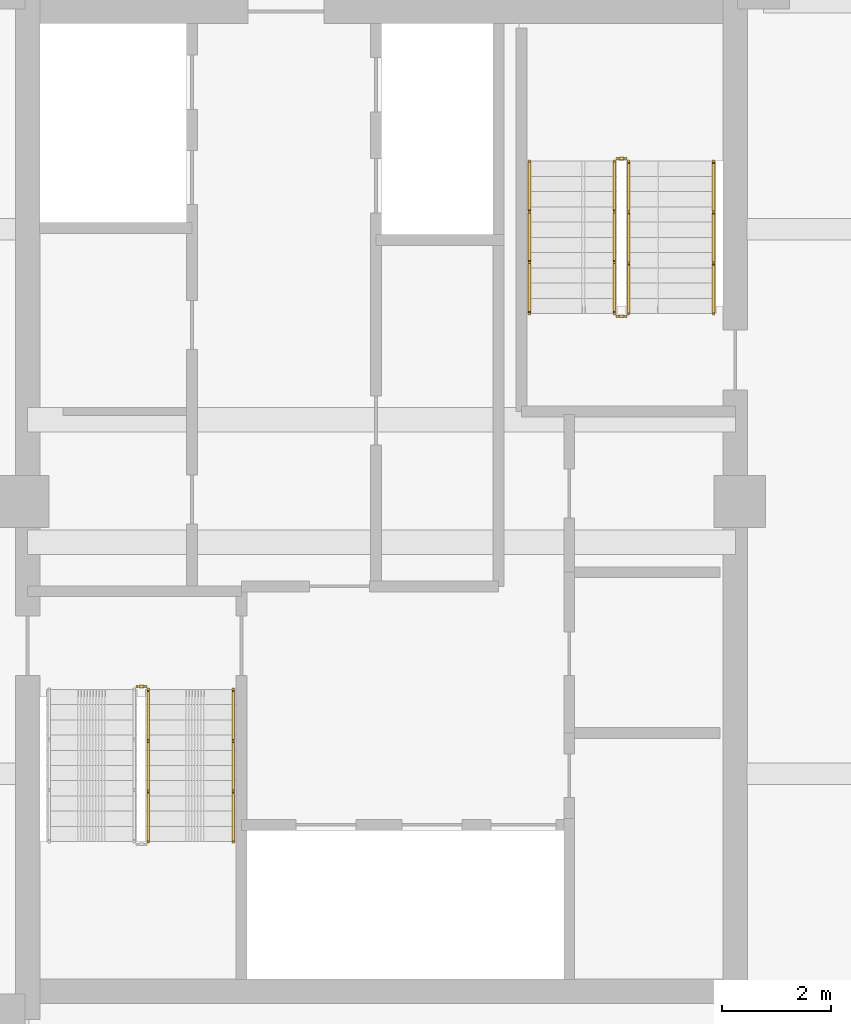
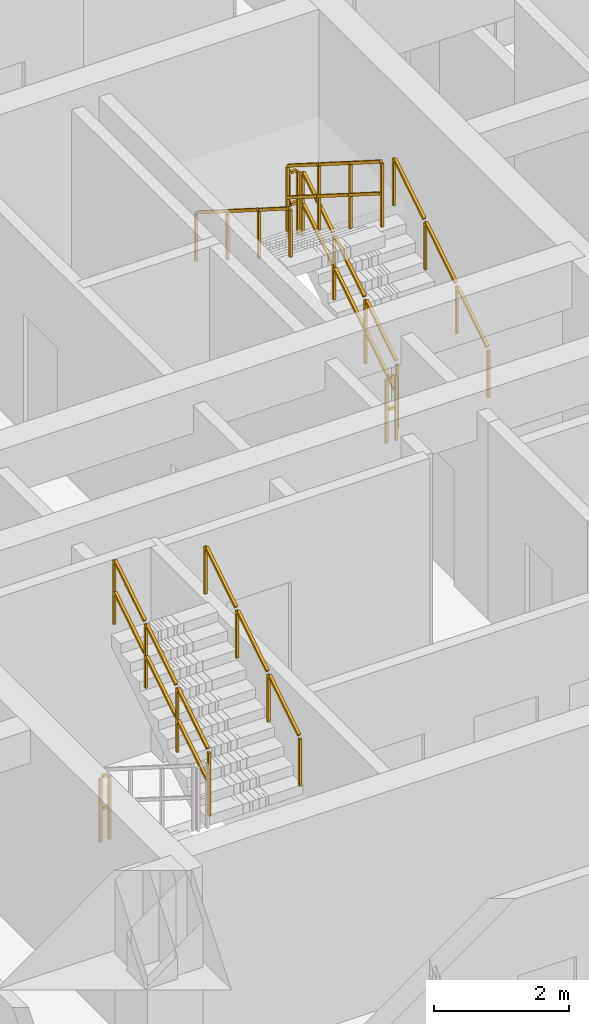
# One storey, part 25 of 27: 9 railings.
"""IFC4 building model written with IfcOpenShell, lengths in metres."""

from ifc_helpers import new_model, si_unit, direction, frame, origin, origin_2d, place, context, subcontext, project, spatial, rectangle, extrude, material, type_object, element, save


model = new_model("IFC4")

# Units and contexts
model_context = context("Model", 3, precision=1e-05, world=origin(), true_north=direction((0.0, 1.0)))
body_context = subcontext(model_context, "Body", "Model", "MODEL_VIEW")
ifc_project = project(units=[si_unit("LENGTHUNIT", "METRE"), si_unit("AREAUNIT", "SQUARE_METRE"), si_unit("VOLUMEUNIT", "CUBIC_METRE"), si_unit("PLANEANGLEUNIT", "RADIAN"), si_unit("MASSUNIT", "GRAM", prefix="KILO")], contexts=[model_context])

# Site, building, storey
site_placement = place(None, origin())
site = spatial("IfcSite", under=ifc_project, at=site_placement, CompositionType="ELEMENT")
building_placement = place(site_placement, origin())
building = spatial("IfcBuilding", under=site, at=building_placement, Name="Saelheon Loggia Tower", CompositionType="ELEMENT")
storey_placement = place(building_placement, frame((0.0, 0.0, 236.10009765625)))
storey = spatial("IfcBuildingStorey", under=building, at=storey_placement, Name="L73", CompositionType="ELEMENT", Elevation=236.10009765625)

# Railings
ifc_material_1 = material(Name="Galvanised Steel S275 Stairwell Guardrail", Category="steel")
railing_type_1 = type_object("IfcRailingType", Name="Guard_StairWell_RL_STG", PredefinedType="GUARDRAIL", material=ifc_material_1)
railing_1_placement = place(storey_placement, frame((33.719970703125, 20.75, 2.127197265625)))
element("IfcRailing", 1, at=railing_1_placement, inside=storey, type_object=railing_type_1, Name="L73 ST1 stair guard 3", PredefinedType="GUARDRAIL", context=body_context, shape_type="SweptSolid", body=[
    extrude(rectangle(XDim=0.048095703125, YDim=0.048095703125, at=origin_2d()), frame((0.0, 0.028076171875, 1.193603515625), z_axis=(0.0, 0.844908973607, 0.534910110503), x_axis=(-1.0, 0.0, 0.0)), (0.0, 0.0, 1.0), 1.0380859375),
    extrude(rectangle(XDim=0.048095703125, YDim=0.048095703125, at=origin_2d()), frame((0.0, 0.028076171875, 0.61767578125), z_axis=(0.0, 0.844908973607, 0.534910110503), x_axis=(-1.0, 0.0, 0.0)), (0.0, 0.0, 1.0), 1.0380859375),
    extrude(rectangle(XDim=0.048095703125, YDim=0.048095703125, at=origin_2d()), frame((0.0, 0.96142578125, 1.78466796875), z_axis=(0.0, 0.844908973607, 0.534910110503), x_axis=(-1.0, 0.0, 0.0)), (0.0, 0.0, 1.0), 1.0380859375),
    extrude(rectangle(XDim=0.048095703125, YDim=0.048095703125, at=origin_2d()), frame((0.0, 0.96142578125, 1.208740234375), z_axis=(0.0, 0.844908973607, 0.534910110503), x_axis=(-1.0, 0.0, 0.0)), (0.0, 0.0, 1.0), 1.0380859375),
    extrude(rectangle(XDim=0.048095703125, YDim=0.048095703125, at=origin_2d()), frame((0.0, 1.894775390625, 2.37548828125), z_axis=(0.0, 0.844908973607, 0.534910110503), x_axis=(-1.0, 0.0, 0.0)), (0.0, 0.0, 1.0), 1.0380859375),
    extrude(rectangle(XDim=0.048095703125, YDim=0.048095703125, at=origin_2d()), frame((0.0, 1.894775390625, 1.799560546875), z_axis=(0.0, 0.844908973607, 0.534910110503), x_axis=(-1.0, 0.0, 0.0)), (0.0, 0.0, 1.0), 1.0380859375),
    extrude(rectangle(XDim=0.0419921875, YDim=0.0419921875, at=origin_2d()), origin(), (0.0, 0.0, 1.0), 1.14794921875),
    extrude(rectangle(XDim=0.0419921875, YDim=0.0419921875, at=origin_2d()), frame((0.0, 0.933349609375, 0.5908203125)), (0.0, 0.0, 1.0), 1.14794921875),
    extrude(rectangle(XDim=0.0419921875, YDim=0.0419921875, at=origin_2d()), frame((0.0, 1.86669921875, 1.181884765625)), (0.0, 0.0, 1.0), 1.14794921875),
    extrude(rectangle(XDim=0.0419921875, YDim=0.0419921875, at=origin_2d()), frame((0.0, 2.800048828125, 1.772705078125)), (0.0, 0.0, 1.0), 1.14794921875),
])
railing_2_placement = place(storey_placement, frame((33.510009765625, 23.60009765625, 0.0)))
element("IfcRailing", 2, at=railing_2_placement, inside=storey, type_object=railing_type_1, Name="L73 ST1 stair guard 4", PredefinedType="GUARDRAIL", context=body_context, shape_type="SweptSolid", body=[
    extrude(rectangle(XDim=0.048095703125, YDim=0.048095703125, at=origin_2d()), frame((0.033203125, 0.0, 1.17578125), z_axis=(1.0, 0.0, 0.0), x_axis=(0.0, 1.0, 0.0)), (0.0, 0.0, 1.0), 0.093505859375),
    extrude(rectangle(XDim=0.048095703125, YDim=0.048095703125, at=origin_2d()), frame((0.033203125, 0.0, 0.60009765625), z_axis=(1.0, 0.0, 0.0), x_axis=(0.0, 1.0, 0.0)), (0.0, 0.0, 1.0), 0.093505859375),
    extrude(rectangle(XDim=0.0419921875, YDim=0.0419921875, at=origin_2d()), origin(), (0.0, 0.0, 1.0), 1.14794921875),
    extrude(rectangle(XDim=0.0419921875, YDim=0.0419921875, at=origin_2d()), frame((0.159912109375, 0.0, 0.0)), (0.0, 0.0, 1.0), 1.14794921875),
])
railing_3_placement = place(storey_placement, frame((42.5400390625, 30.449951171875, 0.17724609375)))
element("IfcRailing", 3, at=railing_3_placement, inside=storey, type_object=railing_type_1, Name="L73 ST2 stair guard 1", PredefinedType="GUARDRAIL", context=body_context, shape_type="SweptSolid", body=[
    extrude(rectangle(XDim=0.048095703125, YDim=0.048095703125, at=origin_2d()), frame((0.0, 0.028076171875, 1.193603515625), z_axis=(0.0, 0.844908973607, 0.534910110503), x_axis=(-1.0, 0.0, 0.0)), (0.0, 0.0, 1.0), 1.0380859375),
    extrude(rectangle(XDim=0.048095703125, YDim=0.048095703125, at=origin_2d()), frame((0.0, 0.028076171875, 0.61767578125), z_axis=(0.0, 0.844908973607, 0.534910110503), x_axis=(-1.0, 0.0, 0.0)), (0.0, 0.0, 1.0), 1.0380859375),
    extrude(rectangle(XDim=0.048095703125, YDim=0.048095703125, at=origin_2d()), frame((0.0, 0.96142578125, 1.78466796875), z_axis=(0.0, 0.844908973607, 0.534910110503), x_axis=(-1.0, 0.0, 0.0)), (0.0, 0.0, 1.0), 1.0380859375),
    extrude(rectangle(XDim=0.048095703125, YDim=0.048095703125, at=origin_2d()), frame((0.0, 0.96142578125, 1.208740234375), z_axis=(0.0, 0.844908973607, 0.534910110503), x_axis=(-1.0, 0.0, 0.0)), (0.0, 0.0, 1.0), 1.0380859375),
    extrude(rectangle(XDim=0.048095703125, YDim=0.048095703125, at=origin_2d()), frame((0.0, 1.894775390625, 2.37548828125), z_axis=(0.0, 0.844908973607, 0.534910110503), x_axis=(-1.0, 0.0, 0.0)), (0.0, 0.0, 1.0), 1.0380859375),
    extrude(rectangle(XDim=0.048095703125, YDim=0.048095703125, at=origin_2d()), frame((0.0, 1.894775390625, 1.799560546875), z_axis=(0.0, 0.844908973607, 0.534910110503), x_axis=(-1.0, 0.0, 0.0)), (0.0, 0.0, 1.0), 1.0380859375),
    extrude(rectangle(XDim=0.0419921875, YDim=0.0419921875, at=origin_2d()), origin(), (0.0, 0.0, 1.0), 1.14794921875),
    extrude(rectangle(XDim=0.0419921875, YDim=0.0419921875, at=origin_2d()), frame((0.0, 0.933349609375, 0.5908203125)), (0.0, 0.0, 1.0), 1.14794921875),
    extrude(rectangle(XDim=0.0419921875, YDim=0.0419921875, at=origin_2d()), frame((0.0, 1.86669921875, 1.181884765625)), (0.0, 0.0, 1.0), 1.14794921875),
    extrude(rectangle(XDim=0.0419921875, YDim=0.0419921875, at=origin_2d()), frame((0.0, 2.800048828125, 1.772705078125)), (0.0, 0.0, 1.0), 1.14794921875),
])
railing_4_placement = place(storey_placement, frame((42.489990234375, 33.300048828125, 1.949951171875)))
element("IfcRailing", 4, at=railing_4_placement, inside=storey, type_object=railing_type_1, Name="L73 ST2 stair guard 2", PredefinedType="GUARDRAIL", context=body_context, shape_type="SweptSolid", body=[
    extrude(rectangle(XDim=0.048095703125, YDim=0.048095703125, at=origin_2d()), frame((-0.033203125, 0.0, 1.17578125), z_axis=(-1.0, 0.0, 0.0), x_axis=(0.0, -1.0, 0.0)), (0.0, 0.0, 1.0), 0.093505859375),
    extrude(rectangle(XDim=0.048095703125, YDim=0.048095703125, at=origin_2d()), frame((-0.033203125, 0.0, 0.60009765625), z_axis=(-1.0, 0.0, 0.0), x_axis=(0.0, -1.0, 0.0)), (0.0, 0.0, 1.0), 0.093505859375),
    extrude(rectangle(XDim=0.0419921875, YDim=0.0419921875, at=origin_2d()), origin(), (0.0, 0.0, 1.0), 1.14794921875),
    extrude(rectangle(XDim=0.0419921875, YDim=0.0419921875, at=origin_2d()), frame((-0.159912109375, 0.0, 0.0)), (0.0, 0.0, 1.0), 1.14794921875),
])
railing_5_placement = place(storey_placement, frame((42.280029296875, 33.25, 2.127197265625)))
element("IfcRailing", 5, at=railing_5_placement, inside=storey, type_object=railing_type_1, Name="L73 ST2 stair guard 3", PredefinedType="GUARDRAIL", context=body_context, shape_type="SweptSolid", body=[
    extrude(rectangle(XDim=0.048095703125, YDim=0.048095703125, at=origin_2d()), frame((0.0, -0.028076171875, 1.193603515625), z_axis=(0.0, -0.844908973607, 0.534910110503), x_axis=(1.0, 0.0, 0.0)), (0.0, 0.0, 1.0), 1.0380859375),
    extrude(rectangle(XDim=0.048095703125, YDim=0.048095703125, at=origin_2d()), frame((0.0, -0.028076171875, 0.61767578125), z_axis=(0.0, -0.844908973607, 0.534910110503), x_axis=(1.0, 0.0, 0.0)), (0.0, 0.0, 1.0), 1.0380859375),
    extrude(rectangle(XDim=0.048095703125, YDim=0.048095703125, at=origin_2d()), frame((0.0, -0.96142578125, 1.78466796875), z_axis=(0.0, -0.844908973607, 0.534910110503), x_axis=(1.0, 0.0, 0.0)), (0.0, 0.0, 1.0), 1.0380859375),
    extrude(rectangle(XDim=0.048095703125, YDim=0.048095703125, at=origin_2d()), frame((0.0, -0.96142578125, 1.208740234375), z_axis=(0.0, -0.844908973607, 0.534910110503), x_axis=(1.0, 0.0, 0.0)), (0.0, 0.0, 1.0), 1.0380859375),
    extrude(rectangle(XDim=0.048095703125, YDim=0.048095703125, at=origin_2d()), frame((0.0, -1.894775390625, 2.37548828125), z_axis=(0.0, -0.844908973607, 0.534910110503), x_axis=(1.0, 0.0, 0.0)), (0.0, 0.0, 1.0), 1.0380859375),
    extrude(rectangle(XDim=0.048095703125, YDim=0.048095703125, at=origin_2d()), frame((0.0, -1.894775390625, 1.799560546875), z_axis=(0.0, -0.844908973607, 0.534910110503), x_axis=(1.0, 0.0, 0.0)), (0.0, 0.0, 1.0), 1.0380859375),
    extrude(rectangle(XDim=0.0419921875, YDim=0.0419921875, at=origin_2d()), origin(), (0.0, 0.0, 1.0), 1.14794921875),
    extrude(rectangle(XDim=0.0419921875, YDim=0.0419921875, at=origin_2d()), frame((0.0, -0.933349609375, 0.5908203125)), (0.0, 0.0, 1.0), 1.14794921875),
    extrude(rectangle(XDim=0.0419921875, YDim=0.0419921875, at=origin_2d()), frame((0.0, -1.86669921875, 1.181884765625)), (0.0, 0.0, 1.0), 1.14794921875),
    extrude(rectangle(XDim=0.0419921875, YDim=0.0419921875, at=origin_2d()), frame((0.0, -2.800048828125, 1.772705078125)), (0.0, 0.0, 1.0), 1.14794921875),
])
railing_6_placement = place(storey_placement, frame((42.489990234375, 30.39990234375, 0.0)))
element("IfcRailing", 6, at=railing_6_placement, inside=storey, type_object=railing_type_1, Name="L73 ST2 stair guard 4", PredefinedType="GUARDRAIL", context=body_context, shape_type="SweptSolid", body=[
    extrude(rectangle(XDim=0.048095703125, YDim=0.048095703125, at=origin_2d()), frame((-0.033203125, 0.0, 1.17578125), z_axis=(-1.0, 0.0, 0.0), x_axis=(0.0, -1.0, 0.0)), (0.0, 0.0, 1.0), 0.093505859375),
    extrude(rectangle(XDim=0.048095703125, YDim=0.048095703125, at=origin_2d()), frame((-0.033203125, 0.0, 0.60009765625), z_axis=(-1.0, 0.0, 0.0), x_axis=(0.0, -1.0, 0.0)), (0.0, 0.0, 1.0), 0.093505859375),
    extrude(rectangle(XDim=0.0419921875, YDim=0.0419921875, at=origin_2d()), origin(), (0.0, 0.0, 1.0), 1.14794921875),
    extrude(rectangle(XDim=0.0419921875, YDim=0.0419921875, at=origin_2d()), frame((-0.159912109375, 0.0, 0.0)), (0.0, 0.0, 1.0), 1.14794921875),
])
ifc_material_2 = material(Name="Stainless Steel 304 Tubular Handrail", Category="steel")
railing_type_2 = type_object("IfcRailingType", Name="Handrail_Stair_RL_HR1", PredefinedType="HANDRAIL", material=ifc_material_2)
for number, where, name in (
    (7, (35.280029296875, 20.75, 2.127197265625), "L73 ST1 stair handrail 2"),
    (8, (44.10009765625, 30.449951171875, 0.17724609375), "L73 ST2 stair handrail 1"),
):
    element("IfcRailing", number, at=place(storey_placement, frame(where)), inside=storey, type_object=railing_type_2, Name=name, PredefinedType="HANDRAIL", context=body_context, shape_type="SweptSolid", body=[
        extrude(rectangle(XDim=0.048095703125, YDim=0.048095703125, at=origin_2d()), frame((0.0, 0.028076171875, 0.8935546875), z_axis=(0.0, 0.844908973607, 0.534910110503), x_axis=(-1.0, 0.0, 0.0)), (0.0, 0.0, 1.0), 1.0380859375),
        extrude(rectangle(XDim=0.048095703125, YDim=0.048095703125, at=origin_2d()), frame((0.0, 0.96142578125, 1.484619140625), z_axis=(0.0, 0.844908973607, 0.534910110503), x_axis=(-1.0, 0.0, 0.0)), (0.0, 0.0, 1.0), 1.0380859375),
        extrude(rectangle(XDim=0.048095703125, YDim=0.048095703125, at=origin_2d()), frame((0.0, 1.894775390625, 2.075439453125), z_axis=(0.0, 0.844908973607, 0.534910110503), x_axis=(-1.0, 0.0, 0.0)), (0.0, 0.0, 1.0), 1.0380859375),
        extrude(rectangle(XDim=0.0419921875, YDim=0.0419921875, at=origin_2d()), origin(), (0.0, 0.0, 1.0), 0.847900390625),
        extrude(rectangle(XDim=0.0419921875, YDim=0.0419921875, at=origin_2d()), frame((0.0, 0.933349609375, 0.5908203125)), (0.0, 0.0, 1.0), 0.847900390625),
        extrude(rectangle(XDim=0.0419921875, YDim=0.0419921875, at=origin_2d()), frame((0.0, 1.86669921875, 1.181884765625)), (0.0, 0.0, 1.0), 0.847900390625),
        extrude(rectangle(XDim=0.0419921875, YDim=0.0419921875, at=origin_2d()), frame((0.0, 2.800048828125, 1.772705078125)), (0.0, 0.0, 1.0), 0.847900390625),
    ])
railing_7_placement = place(storey_placement, frame((40.719970703125, 33.25, 2.127197265625)))
element("IfcRailing", 9, at=railing_7_placement, inside=storey, type_object=railing_type_2, Name="L73 ST2 stair handrail 2", PredefinedType="HANDRAIL", context=body_context, shape_type="SweptSolid", body=[
    extrude(rectangle(XDim=0.048095703125, YDim=0.048095703125, at=origin_2d()), frame((0.0, -0.028076171875, 0.8935546875), z_axis=(0.0, -0.844908973607, 0.534910110503), x_axis=(1.0, 0.0, 0.0)), (0.0, 0.0, 1.0), 1.0380859375),
    extrude(rectangle(XDim=0.048095703125, YDim=0.048095703125, at=origin_2d()), frame((0.0, -0.96142578125, 1.484619140625), z_axis=(0.0, -0.844908973607, 0.534910110503), x_axis=(1.0, 0.0, 0.0)), (0.0, 0.0, 1.0), 1.0380859375),
    extrude(rectangle(XDim=0.048095703125, YDim=0.048095703125, at=origin_2d()), frame((0.0, -1.894775390625, 2.075439453125), z_axis=(0.0, -0.844908973607, 0.534910110503), x_axis=(1.0, 0.0, 0.0)), (0.0, 0.0, 1.0), 1.0380859375),
    extrude(rectangle(XDim=0.0419921875, YDim=0.0419921875, at=origin_2d()), origin(), (0.0, 0.0, 1.0), 0.847900390625),
    extrude(rectangle(XDim=0.0419921875, YDim=0.0419921875, at=origin_2d()), frame((0.0, -0.933349609375, 0.5908203125)), (0.0, 0.0, 1.0), 0.847900390625),
    extrude(rectangle(XDim=0.0419921875, YDim=0.0419921875, at=origin_2d()), frame((0.0, -1.86669921875, 1.181884765625)), (0.0, 0.0, 1.0), 0.847900390625),
    extrude(rectangle(XDim=0.0419921875, YDim=0.0419921875, at=origin_2d()), frame((0.0, -2.800048828125, 1.772705078125)), (0.0, 0.0, 1.0), 0.847900390625),
])

save(model, "model.ifc")
